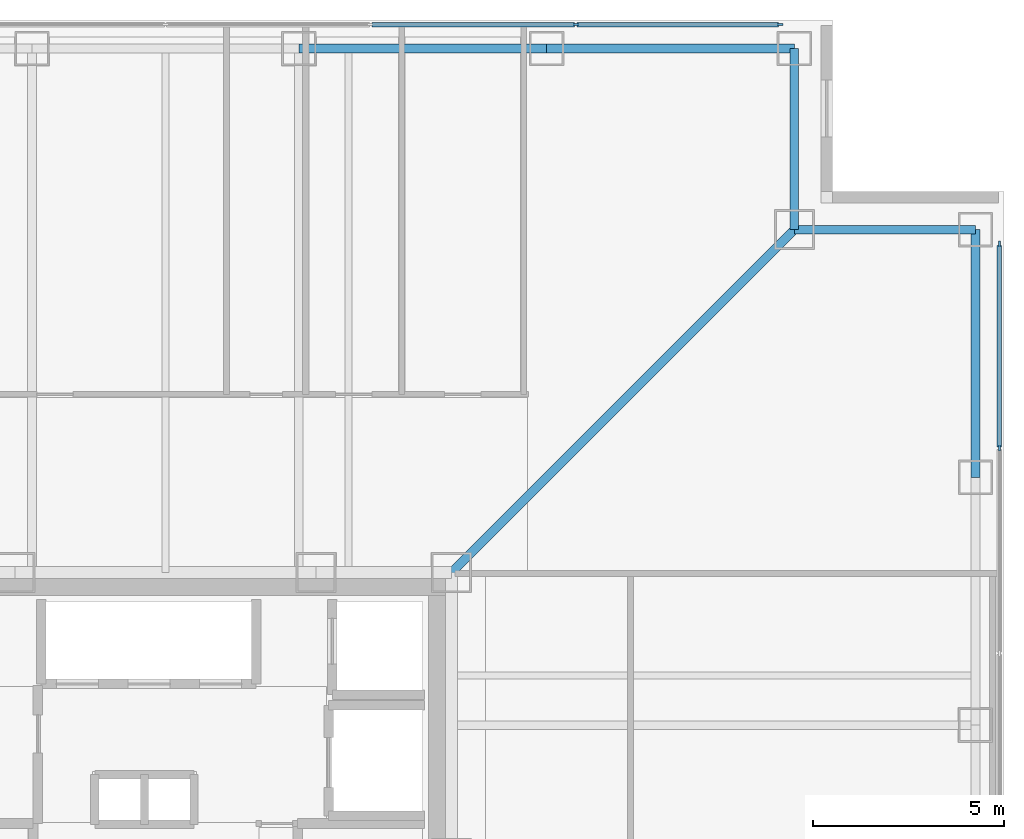
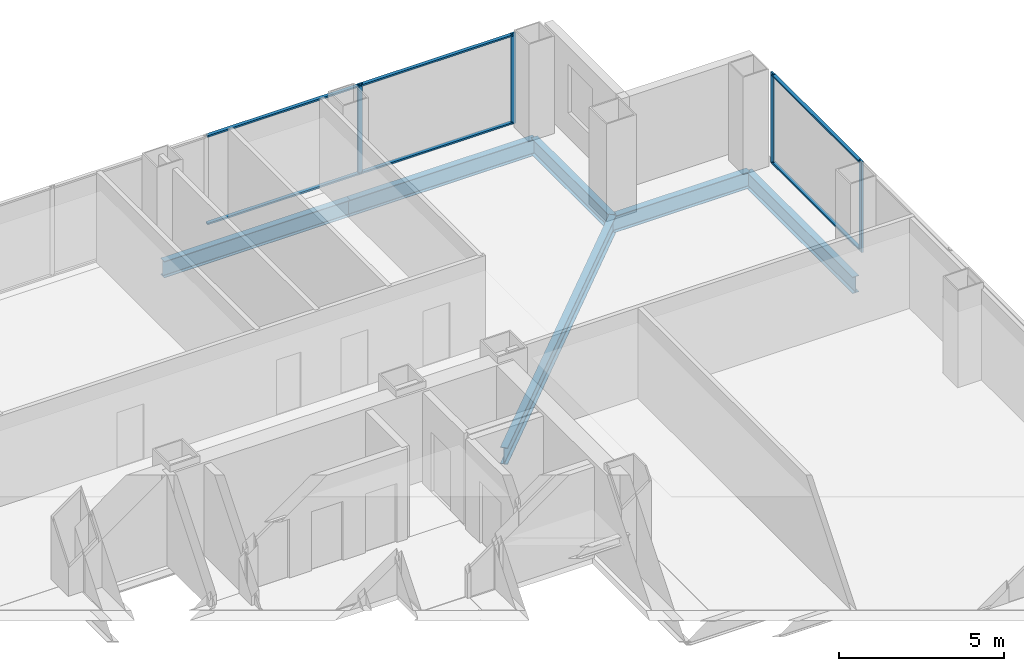
# One storey, part 8 of 14: 10 members, 6 beams, 2 elements without a shape of their own.
"""IFC4 building model written with IfcOpenShell, lengths in metres."""

from ifc_helpers import new_model, si_unit, direction, frame, origin, origin_2d, place, context, subcontext, project, spatial, rectangle, i_section, extrude, material, layer, layer_set, material_profile, profile_set, type_object, element, aggregate, save


model = new_model("IFC4")

# Units and contexts
model_context = context("Model", 3, precision=1e-05, world=origin(), true_north=direction((0.0, 1.0)))
body_context = subcontext(model_context, "Body", "Model", "MODEL_VIEW")
ifc_project = project(units=[si_unit("LENGTHUNIT", "METRE"), si_unit("AREAUNIT", "SQUARE_METRE"), si_unit("VOLUMEUNIT", "CUBIC_METRE"), si_unit("PLANEANGLEUNIT", "RADIAN"), si_unit("MASSUNIT", "GRAM", prefix="KILO")], contexts=[model_context])

# Site, building, storey
site_placement = place(None, origin())
site = spatial("IfcSite", under=ifc_project, at=site_placement, CompositionType="ELEMENT")
building_placement = place(site_placement, origin())
building = spatial("IfcBuilding", under=site, at=building_placement, Name="Trevonay Congress Spire", CompositionType="ELEMENT")
storey_placement = place(building_placement, frame((0.0, 0.0, 97.60009765625)))
storey = spatial("IfcBuildingStorey", under=building, at=storey_placement, Name="L24", CompositionType="ELEMENT", Elevation=97.60009765625)

# Beams
ifc_material_1 = material(Name="Steel ASTM A572 Grade 50", Category="steel")
ifc_material_profile_1 = material_profile(ifc_material_1, i_section(OverallWidth=0.22998046875, OverallDepth=0.616943359375, WebThickness=0.01318359375, FlangeThickness=0.022216796875, FilletRadius=0.01611328125, at=origin_2d()), Name="W610x140")
ifc_profile_set_1 = profile_set([ifc_material_profile_1], Name="Steel ASTM A572 Grade 50")
beam_type_1 = type_object("IfcBeamType", Name="BM-GIRD-W610X140", PredefinedType="BEAM", material=ifc_profile_set_1)
beam_placement = place(storey_placement, frame((7.5, 7.5, -0.548583984375), z_axis=(0.707106781187, 0.707106781187, 0.0), x_axis=(-0.707106781187, 0.707106781187, 0.0)))
element("IfcBeam", 1, at=beam_placement, inside=storey, type_object=beam_type_1, Name="L24 structural beam BM-L24-CDNE", PredefinedType="BEAM", context=body_context, shape_type="SweptSolid", body=[
    extrude(i_section(OverallWidth=0.22998046875, OverallDepth=0.616943359375, WebThickness=0.01318359375, FlangeThickness=0.022216796875, FilletRadius=0.01611328125, at=origin_2d()), origin(), (0.0, 0.0, 1.0), 12.72802734375),
])
ifc_material_profile_2 = material_profile(ifc_material_1, i_section(OverallWidth=0.22802734375, OverallDepth=0.60791015625, WebThickness=0.01123046875, FlangeThickness=0.017333984375, FilletRadius=0.01611328125, at=origin_2d()), Name="W610x113")
ifc_profile_set_2 = profile_set([ifc_material_profile_2], Name="Steel ASTM A572 Grade 50")
beam_type_2 = type_object("IfcBeamType", Name="BM-RING-W610X113", PredefinedType="BEAM", material=ifc_profile_set_2)
for number, where, z_axis, x_axis, name in (
    (2, (3.5, 21.25, -0.544189453125), (1.0, 0.0, 0.0), (0.0, 1.0, 0.0), "L24 structural beam BM-L24-PN4"),
    (3, (10.0, 21.25, -0.544189453125), (1.0, 0.0, 0.0), (0.0, 1.0, 0.0), "L24 structural beam BM-L24-PN5"),
    (4, (21.25, 10.0, -0.544189453125), (0.0, 1.0, 0.0), (-1.0, 0.0, 0.0), "L24 structural beam BM-L24-PE5"),
):
    element("IfcBeam", number, at=place(storey_placement, frame(where, z_axis=z_axis, x_axis=x_axis)), inside=storey, type_object=beam_type_2, Name=name, PredefinedType="BEAM", context=body_context, shape_type="SweptSolid", body=[
        extrude(i_section(OverallWidth=0.22802734375, OverallDepth=0.60791015625, WebThickness=0.01123046875, FlangeThickness=0.017333984375, FilletRadius=0.01611328125, at=origin_2d()), origin(), (0.0, 0.0, 1.0), 6.5),
    ])
for number, where, z_axis, x_axis, name in (
    (5, (16.5, 21.25, -0.544189453125), (0.0, -1.0, 0.0), (1.0, 0.0, 0.0), "L24 structural beam BM-L24-N1NE"),
    (6, (21.25, 16.5, -0.544189453125), (-1.0, 0.0, 0.0), (0.0, -1.0, 0.0), "L24 structural beam BM-L24-N2NE"),
):
    element("IfcBeam", number, at=place(storey_placement, frame(where, z_axis=z_axis, x_axis=x_axis)), inside=storey, type_object=beam_type_2, Name=name, PredefinedType="BEAM", context=body_context, shape_type="SweptSolid", body=[
        extrude(i_section(OverallWidth=0.22802734375, OverallDepth=0.60791015625, WebThickness=0.01123046875, FlangeThickness=0.017333984375, FilletRadius=0.01611328125, at=origin_2d()), origin(), (0.0, 0.0, 1.0), 4.75),
    ])

# Curtain wall, members
ifc_material_2 = material(Name="Pale Anodised Aluminium EN AW-6063-T6", Category="aluminium")
ifc_layer = layer(ifc_material_2, 0.175048828125, Name="Pale Anodised Aluminium EN AW-6063-T6")
ifc_layer_set = layer_set([ifc_layer], Name="Pale Anodised Aluminium EN AW-6063-T6")
curtain_wall_type = type_object("IfcCurtainWallType", Name="CW-SYS03-CONGRESS-PALE-METAL", PredefinedType="NOTDEFINED", material=ifc_layer_set)
curtain_wall_1_placement = place(storey_placement, origin())
curtain_wall_1 = element("IfcCurtainWall", 7, at=curtain_wall_1_placement, inside=storey, type_object=curtain_wall_type, Name="L24 N unitised curtain wall", PredefinedType="NOTDEFINED")
ifc_material_profile_3 = material_profile(ifc_material_2, rectangle(XDim=0.06005859375, YDim=0.159912109375, at=origin_2d()), Name="CW-MULLION-160-ALUMINIUM")
ifc_profile_set_3 = profile_set([ifc_material_profile_3], Name="Pale Anodised Aluminium EN AW-6063-T6")
member_type_1 = type_object("IfcMemberType", Name="CW-MULLION-160-ALUMINIUM", PredefinedType="MULLION", material=ifc_profile_set_3)
member_1_placement = place(storey_placement, frame((10.7666015625, 21.8798828125, 0.0), z_axis=(0.0, 0.0, 1.0), x_axis=(0.0, 1.0, 0.0)))
member_1 = element("IfcMember", 8, at=member_1_placement, type_object=member_type_1, Name="CW03 mullion 6", PredefinedType="MULLION", context=body_context, shape_type="SweptSolid", body=[
    extrude(rectangle(XDim=0.06005859375, YDim=0.159912109375, at=origin_2d()), origin(), (0.0, 0.0, 1.0), 3.35986328125),
])
member_2_placement = place(storey_placement, frame((16.1201171875, 21.8798828125, 0.0), z_axis=(0.0, 0.0, 1.0), x_axis=(0.0, 1.0, 0.0)))
member_2 = element("IfcMember", 9, at=member_2_placement, type_object=member_type_1, Name="CW03 mullion 7", PredefinedType="MULLION", context=body_context, shape_type="SweptSolid", body=[
    extrude(rectangle(XDim=0.06005859375, YDim=0.159912109375, at=origin_2d()), origin(), (0.0, 0.0, 1.0), 3.35986328125),
])

curtain_wall_2_placement = place(storey_placement, origin())
curtain_wall_2 = element("IfcCurtainWall", 10, at=curtain_wall_2_placement, inside=storey, type_object=curtain_wall_type, Name="L24 E unitised curtain wall", PredefinedType="NOTDEFINED")
member_3_placement = place(storey_placement, frame((21.8798828125, 10.7666015625, 0.0), z_axis=(0.0, 0.0, 1.0), x_axis=(-1.0, 0.0, 0.0)))
member_3 = element("IfcMember", 11, at=member_3_placement, type_object=member_type_1, Name="CW03 mullion 6", PredefinedType="MULLION", context=body_context, shape_type="SweptSolid", body=[
    extrude(rectangle(XDim=0.06005859375, YDim=0.159912109375, at=origin_2d()), origin(), (0.0, 0.0, 1.0), 3.35986328125),
])
member_4_placement = place(storey_placement, frame((21.8798828125, 16.1201171875, 0.0), z_axis=(0.0, 0.0, 1.0), x_axis=(-1.0, 0.0, 0.0)))
member_4 = element("IfcMember", 12, at=member_4_placement, type_object=member_type_1, Name="CW03 mullion 7", PredefinedType="MULLION", context=body_context, shape_type="SweptSolid", body=[
    extrude(rectangle(XDim=0.06005859375, YDim=0.159912109375, at=origin_2d()), origin(), (0.0, 0.0, 1.0), 3.35986328125),
])

# Member
ifc_material_profile_4 = material_profile(ifc_material_2, rectangle(XDim=0.1201171875, YDim=0.06005859375, at=origin_2d()), Name="CW-TRANSOM-120-ALUMINIUM")
ifc_profile_set_4 = profile_set([ifc_material_profile_4], Name="Pale Anodised Aluminium EN AW-6063-T6")
member_type_2 = type_object("IfcMemberType", Name="CW-TRANSOM-120-ALUMINIUM", PredefinedType="USERDEFINED", material=ifc_profile_set_4)
member_5_placement = place(storey_placement, frame((5.413330078125, 21.8798828125, 0.059814453125), z_axis=(1.0, 0.0, 0.0), x_axis=(0.0, 1.0, 0.0)))
member_5 = element("IfcMember", 13, at=member_5_placement, type_object=member_type_2, Name="CW03 transom 5.1", ObjectType="TRANSOM", PredefinedType="USERDEFINED", context=body_context, shape_type="SweptSolid", body=[
    extrude(rectangle(XDim=0.1201171875, YDim=0.06005859375, at=origin_2d()), origin(), (0.0, 0.0, 1.0), 5.3232421875),
])

member_6_placement = place(storey_placement, frame((5.413330078125, 21.8798828125, 3.2998046875), z_axis=(1.0, 0.0, 0.0), x_axis=(0.0, 1.0, 0.0)))
member_6 = element("IfcMember", 14, at=member_6_placement, type_object=member_type_2, Name="CW03 transom 5.2", ObjectType="TRANSOM", PredefinedType="USERDEFINED", context=body_context, shape_type="SweptSolid", body=[
    extrude(rectangle(XDim=0.1201171875, YDim=0.06005859375, at=origin_2d()), origin(), (0.0, 0.0, 1.0), 5.3232421875),
])

member_7_placement = place(storey_placement, frame((10.796630859375, 21.8798828125, 0.059814453125), z_axis=(1.0, 0.0, 0.0), x_axis=(0.0, 1.0, 0.0)))
member_7 = element("IfcMember", 15, at=member_7_placement, type_object=member_type_2, Name="CW03 transom 6.1", ObjectType="TRANSOM", PredefinedType="USERDEFINED", context=body_context, shape_type="SweptSolid", body=[
    extrude(rectangle(XDim=0.1201171875, YDim=0.06005859375, at=origin_2d()), origin(), (0.0, 0.0, 1.0), 5.29345703125),
])

member_8_placement = place(storey_placement, frame((10.796630859375, 21.8798828125, 3.2998046875), z_axis=(1.0, 0.0, 0.0), x_axis=(0.0, 1.0, 0.0)))
member_8 = element("IfcMember", 16, at=member_8_placement, type_object=member_type_2, Name="CW03 transom 6.2", ObjectType="TRANSOM", PredefinedType="USERDEFINED", context=body_context, shape_type="SweptSolid", body=[
    extrude(rectangle(XDim=0.1201171875, YDim=0.06005859375, at=origin_2d()), origin(), (0.0, 0.0, 1.0), 5.29345703125),
])

aggregate(curtain_wall_1, [member_1, member_2, member_5, member_6, member_7, member_8])

member_9_placement = place(storey_placement, frame((21.8798828125, 10.796630859375, 0.059814453125), z_axis=(0.0, 1.0, 0.0), x_axis=(-1.0, 0.0, 0.0)))
member_9 = element("IfcMember", 17, at=member_9_placement, type_object=member_type_2, Name="CW03 transom 6.1", ObjectType="TRANSOM", PredefinedType="USERDEFINED", context=body_context, shape_type="SweptSolid", body=[
    extrude(rectangle(XDim=0.1201171875, YDim=0.06005859375, at=origin_2d()), origin(), (0.0, 0.0, 1.0), 5.29345703125),
])

member_10_placement = place(storey_placement, frame((21.8798828125, 10.796630859375, 3.2998046875), z_axis=(0.0, 1.0, 0.0), x_axis=(-1.0, 0.0, 0.0)))
member_10 = element("IfcMember", 18, at=member_10_placement, type_object=member_type_2, Name="CW03 transom 6.2", ObjectType="TRANSOM", PredefinedType="USERDEFINED", context=body_context, shape_type="SweptSolid", body=[
    extrude(rectangle(XDim=0.1201171875, YDim=0.06005859375, at=origin_2d()), origin(), (0.0, 0.0, 1.0), 5.29345703125),
])

aggregate(curtain_wall_2, [member_3, member_4, member_9, member_10])

save(model, "model.ifc")
